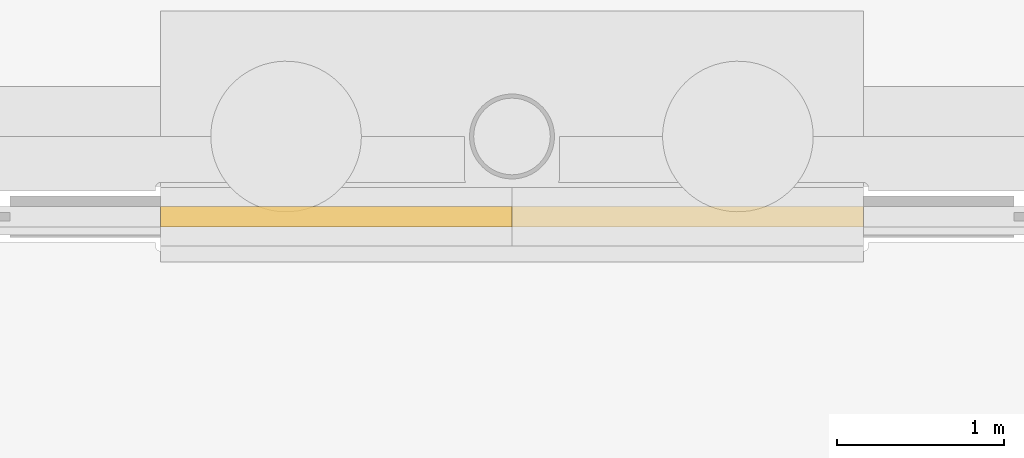
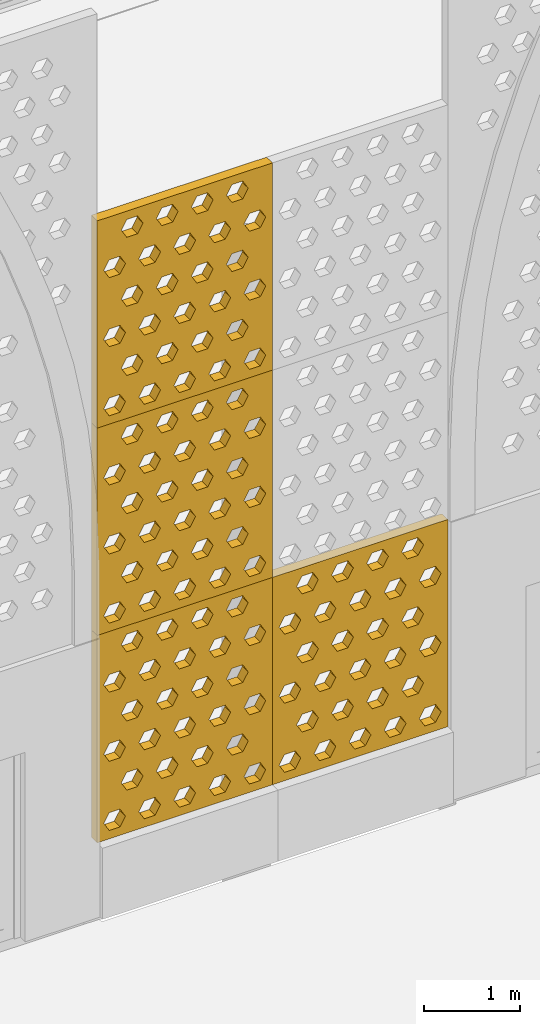
# One storey, part 202 of 250: 4 shading devices.
"""IFC4 building model written with IfcOpenShell, lengths in metres."""

from ifc_helpers import new_model, si_unit, direction, frame, origin, place, context, subcontext, project, spatial, polyline, outline, extrude, material, layer, layer_set, type_object, element, save


model = new_model("IFC4")

# Units and contexts
model_context = context("Model", 3, precision=1e-05, world=origin(), true_north=direction((0.0, 1.0)))
body_context = subcontext(model_context, "Body", "Model", "MODEL_VIEW")
ifc_project = project(units=[si_unit("LENGTHUNIT", "METRE"), si_unit("AREAUNIT", "SQUARE_METRE"), si_unit("VOLUMEUNIT", "CUBIC_METRE"), si_unit("PLANEANGLEUNIT", "RADIAN"), si_unit("MASSUNIT", "GRAM", prefix="KILO")], contexts=[model_context])

# Site, building, storey
site_placement = place(None, origin())
site = spatial("IfcSite", under=ifc_project, at=site_placement, CompositionType="ELEMENT")
building_placement = place(site_placement, origin())
building = spatial("IfcBuilding", under=site, at=building_placement, Name="Baradari Gate Terminus", CompositionType="ELEMENT")
storey_placement = place(building_placement, origin())
storey = spatial("IfcBuildingStorey", under=building, at=storey_placement, Name="L00", CompositionType="ELEMENT", Elevation=0.0)

# Shading devices
ifc_material = material(Name="Concrete C50/60 precast", Category="concrete")
ifc_layer = layer(ifc_material, 0.1201171875)
ifc_layer_set = layer_set([ifc_layer], Name="Concrete C50/60 precast")
shading_device_type = type_object("IfcShadingDeviceType", Name="Jali screen panel JS-2 120", PredefinedType="SHUTTER", material=ifc_layer_set)
shading_device_1_placement = place(storey_placement, frame((204.89990234375, 35.52001953125, 0.89990234375), z_axis=(0.0, 0.0, 1.0), x_axis=(1.0, 0.0, 0.0)))
element("IfcShadingDevice", 1, at=shading_device_1_placement, inside=storey, type_object=shading_device_type, Name="Jali screen panel JS-2 SC05c row 1 panel 1", PredefinedType="SHUTTER", context=body_context, shape_type="SweptSolid", body=[
    extrude(outline(polyline([(0.0, 0.0), (2.10009765625, 0.0), (2.10009765625, 2.625), (0.0, 2.625), (0.0, 0.0)]), holes=[polyline([(0.340087890625, 0.21875), (0.27490234375, 0.106201171875), (0.14501953125, 0.106201171875), (0.080078125, 0.21875), (0.14501953125, 0.33154296875), (0.27490234375, 0.33154296875), (0.340087890625, 0.21875)]), polyline([(0.760009765625, 0.21875), (0.695068359375, 0.106201171875), (0.56494140625, 0.106201171875), (0.5, 0.21875), (0.56494140625, 0.33154296875), (0.695068359375, 0.33154296875), (0.760009765625, 0.21875)]), polyline([(1.179931640625, 0.21875), (1.114990234375, 0.106201171875), (0.985107421875, 0.106201171875), (0.919921875, 0.21875), (0.985107421875, 0.33154296875), (1.114990234375, 0.33154296875), (1.179931640625, 0.21875)]), polyline([(1.60009765625, 0.21875), (1.534912109375, 0.106201171875), (1.405029296875, 0.106201171875), (1.340087890625, 0.21875), (1.405029296875, 0.33154296875), (1.534912109375, 0.33154296875), (1.60009765625, 0.21875)]), polyline([(2.02001953125, 0.21875), (1.955078125, 0.106201171875), (1.824951171875, 0.106201171875), (1.760009765625, 0.21875), (1.824951171875, 0.33154296875), (1.955078125, 0.33154296875), (2.02001953125, 0.21875)]), polyline([(0.550048828125, 0.65625), (0.485107421875, 0.543701171875), (0.35498046875, 0.543701171875), (0.2900390625, 0.65625), (0.35498046875, 0.76904296875), (0.485107421875, 0.76904296875), (0.550048828125, 0.65625)]), polyline([(0.969970703125, 0.65625), (0.905029296875, 0.543701171875), (0.77490234375, 0.543701171875), (0.7099609375, 0.65625), (0.77490234375, 0.76904296875), (0.905029296875, 0.76904296875), (0.969970703125, 0.65625)]), polyline([(1.389892578125, 0.65625), (1.324951171875, 0.543701171875), (1.195068359375, 0.543701171875), (1.1298828125, 0.65625), (1.195068359375, 0.76904296875), (1.324951171875, 0.76904296875), (1.389892578125, 0.65625)]), polyline([(1.81005859375, 0.65625), (1.7451171875, 0.543701171875), (1.614990234375, 0.543701171875), (1.550048828125, 0.65625), (1.614990234375, 0.76904296875), (1.7451171875, 0.76904296875), (1.81005859375, 0.65625)]), polyline([(0.340087890625, 1.09375), (0.27490234375, 0.981201171875), (0.14501953125, 0.981201171875), (0.080078125, 1.09375), (0.14501953125, 1.20654296875), (0.27490234375, 1.20654296875), (0.340087890625, 1.09375)]), polyline([(0.760009765625, 1.09375), (0.695068359375, 0.981201171875), (0.56494140625, 0.981201171875), (0.5, 1.09375), (0.56494140625, 1.20654296875), (0.695068359375, 1.20654296875), (0.760009765625, 1.09375)]), polyline([(1.179931640625, 1.09375), (1.114990234375, 0.981201171875), (0.985107421875, 0.981201171875), (0.919921875, 1.09375), (0.985107421875, 1.20654296875), (1.114990234375, 1.20654296875), (1.179931640625, 1.09375)]), polyline([(1.60009765625, 1.09375), (1.534912109375, 0.981201171875), (1.405029296875, 0.981201171875), (1.340087890625, 1.09375), (1.405029296875, 1.20654296875), (1.534912109375, 1.20654296875), (1.60009765625, 1.09375)]), polyline([(2.02001953125, 1.09375), (1.955078125, 0.981201171875), (1.824951171875, 0.981201171875), (1.760009765625, 1.09375), (1.824951171875, 1.20654296875), (1.955078125, 1.20654296875), (2.02001953125, 1.09375)]), polyline([(0.550048828125, 1.53125), (0.485107421875, 1.418701171875), (0.35498046875, 1.418701171875), (0.2900390625, 1.53125), (0.35498046875, 1.64404296875), (0.485107421875, 1.64404296875), (0.550048828125, 1.53125)]), polyline([(0.969970703125, 1.53125), (0.905029296875, 1.418701171875), (0.77490234375, 1.418701171875), (0.7099609375, 1.53125), (0.77490234375, 1.64404296875), (0.905029296875, 1.64404296875), (0.969970703125, 1.53125)]), polyline([(1.389892578125, 1.53125), (1.324951171875, 1.418701171875), (1.195068359375, 1.418701171875), (1.1298828125, 1.53125), (1.195068359375, 1.64404296875), (1.324951171875, 1.64404296875), (1.389892578125, 1.53125)]), polyline([(1.81005859375, 1.53125), (1.7451171875, 1.418701171875), (1.614990234375, 1.418701171875), (1.550048828125, 1.53125), (1.614990234375, 1.64404296875), (1.7451171875, 1.64404296875), (1.81005859375, 1.53125)]), polyline([(0.340087890625, 1.96875), (0.27490234375, 1.856201171875), (0.14501953125, 1.856201171875), (0.080078125, 1.96875), (0.14501953125, 2.08154296875), (0.27490234375, 2.08154296875), (0.340087890625, 1.96875)]), polyline([(0.760009765625, 1.96875), (0.695068359375, 1.856201171875), (0.56494140625, 1.856201171875), (0.5, 1.96875), (0.56494140625, 2.08154296875), (0.695068359375, 2.08154296875), (0.760009765625, 1.96875)]), polyline([(1.179931640625, 1.96875), (1.114990234375, 1.856201171875), (0.985107421875, 1.856201171875), (0.919921875, 1.96875), (0.985107421875, 2.08154296875), (1.114990234375, 2.08154296875), (1.179931640625, 1.96875)]), polyline([(1.60009765625, 1.96875), (1.534912109375, 1.856201171875), (1.405029296875, 1.856201171875), (1.340087890625, 1.96875), (1.405029296875, 2.08154296875), (1.534912109375, 2.08154296875), (1.60009765625, 1.96875)]), polyline([(2.02001953125, 1.96875), (1.955078125, 1.856201171875), (1.824951171875, 1.856201171875), (1.760009765625, 1.96875), (1.824951171875, 2.08154296875), (1.955078125, 2.08154296875), (2.02001953125, 1.96875)]), polyline([(0.550048828125, 2.40625), (0.485107421875, 2.293701171875), (0.35498046875, 2.293701171875), (0.2900390625, 2.40625), (0.35498046875, 2.51904296875), (0.485107421875, 2.51904296875), (0.550048828125, 2.40625)]), polyline([(0.969970703125, 2.40625), (0.905029296875, 2.293701171875), (0.77490234375, 2.293701171875), (0.7099609375, 2.40625), (0.77490234375, 2.51904296875), (0.905029296875, 2.51904296875), (0.969970703125, 2.40625)]), polyline([(1.389892578125, 2.40625), (1.324951171875, 2.293701171875), (1.195068359375, 2.293701171875), (1.1298828125, 2.40625), (1.195068359375, 2.51904296875), (1.324951171875, 2.51904296875), (1.389892578125, 2.40625)]), polyline([(1.81005859375, 2.40625), (1.7451171875, 2.293701171875), (1.614990234375, 2.293701171875), (1.550048828125, 2.40625), (1.614990234375, 2.51904296875), (1.7451171875, 2.51904296875), (1.81005859375, 2.40625)])]), frame((0.0, 0.06005859375, 0.0), z_axis=(0.0, -1.0, 0.0), x_axis=(1.0, 0.0, 0.0)), (0.0, 0.0, 1.0), 0.1201171875),
])
shading_device_2_placement = place(storey_placement, frame((204.89990234375, 35.52001953125, 3.52490234375), z_axis=(0.0, 0.0, 1.0), x_axis=(1.0, 0.0, 0.0)))
element("IfcShadingDevice", 2, at=shading_device_2_placement, inside=storey, type_object=shading_device_type, Name="Jali screen panel JS-2 SC05c row 2 panel 1", PredefinedType="SHUTTER", context=body_context, shape_type="SweptSolid", body=[
    extrude(outline(polyline([(0.0, 0.0), (2.10009765625, 0.0), (2.10009765625, 2.625), (0.0, 2.625), (0.0, 0.0)]), holes=[polyline([(0.340087890625, 0.21875), (0.27490234375, 0.106201171875), (0.14501953125, 0.106201171875), (0.080078125, 0.21875), (0.14501953125, 0.33154296875), (0.27490234375, 0.33154296875), (0.340087890625, 0.21875)]), polyline([(0.760009765625, 0.21875), (0.695068359375, 0.106201171875), (0.56494140625, 0.106201171875), (0.5, 0.21875), (0.56494140625, 0.33154296875), (0.695068359375, 0.33154296875), (0.760009765625, 0.21875)]), polyline([(1.179931640625, 0.21875), (1.114990234375, 0.106201171875), (0.985107421875, 0.106201171875), (0.919921875, 0.21875), (0.985107421875, 0.33154296875), (1.114990234375, 0.33154296875), (1.179931640625, 0.21875)]), polyline([(1.60009765625, 0.21875), (1.534912109375, 0.106201171875), (1.405029296875, 0.106201171875), (1.340087890625, 0.21875), (1.405029296875, 0.33154296875), (1.534912109375, 0.33154296875), (1.60009765625, 0.21875)]), polyline([(2.02001953125, 0.21875), (1.955078125, 0.106201171875), (1.824951171875, 0.106201171875), (1.760009765625, 0.21875), (1.824951171875, 0.33154296875), (1.955078125, 0.33154296875), (2.02001953125, 0.21875)]), polyline([(0.550048828125, 0.65625), (0.485107421875, 0.543701171875), (0.35498046875, 0.543701171875), (0.2900390625, 0.65625), (0.35498046875, 0.76904296875), (0.485107421875, 0.76904296875), (0.550048828125, 0.65625)]), polyline([(0.969970703125, 0.65625), (0.905029296875, 0.543701171875), (0.77490234375, 0.543701171875), (0.7099609375, 0.65625), (0.77490234375, 0.76904296875), (0.905029296875, 0.76904296875), (0.969970703125, 0.65625)]), polyline([(1.389892578125, 0.65625), (1.324951171875, 0.543701171875), (1.195068359375, 0.543701171875), (1.1298828125, 0.65625), (1.195068359375, 0.76904296875), (1.324951171875, 0.76904296875), (1.389892578125, 0.65625)]), polyline([(1.81005859375, 0.65625), (1.7451171875, 0.543701171875), (1.614990234375, 0.543701171875), (1.550048828125, 0.65625), (1.614990234375, 0.76904296875), (1.7451171875, 0.76904296875), (1.81005859375, 0.65625)]), polyline([(0.340087890625, 1.09375), (0.27490234375, 0.981201171875), (0.14501953125, 0.981201171875), (0.080078125, 1.09375), (0.14501953125, 1.20654296875), (0.27490234375, 1.20654296875), (0.340087890625, 1.09375)]), polyline([(0.760009765625, 1.09375), (0.695068359375, 0.981201171875), (0.56494140625, 0.981201171875), (0.5, 1.09375), (0.56494140625, 1.20654296875), (0.695068359375, 1.20654296875), (0.760009765625, 1.09375)]), polyline([(1.179931640625, 1.09375), (1.114990234375, 0.981201171875), (0.985107421875, 0.981201171875), (0.919921875, 1.09375), (0.985107421875, 1.20654296875), (1.114990234375, 1.20654296875), (1.179931640625, 1.09375)]), polyline([(1.60009765625, 1.09375), (1.534912109375, 0.981201171875), (1.405029296875, 0.981201171875), (1.340087890625, 1.09375), (1.405029296875, 1.20654296875), (1.534912109375, 1.20654296875), (1.60009765625, 1.09375)]), polyline([(2.02001953125, 1.09375), (1.955078125, 0.981201171875), (1.824951171875, 0.981201171875), (1.760009765625, 1.09375), (1.824951171875, 1.20654296875), (1.955078125, 1.20654296875), (2.02001953125, 1.09375)]), polyline([(0.550048828125, 1.53125), (0.485107421875, 1.418701171875), (0.35498046875, 1.418701171875), (0.2900390625, 1.53125), (0.35498046875, 1.64404296875), (0.485107421875, 1.64404296875), (0.550048828125, 1.53125)]), polyline([(0.969970703125, 1.53125), (0.905029296875, 1.418701171875), (0.77490234375, 1.418701171875), (0.7099609375, 1.53125), (0.77490234375, 1.64404296875), (0.905029296875, 1.64404296875), (0.969970703125, 1.53125)]), polyline([(1.389892578125, 1.53125), (1.324951171875, 1.418701171875), (1.195068359375, 1.418701171875), (1.1298828125, 1.53125), (1.195068359375, 1.64404296875), (1.324951171875, 1.64404296875), (1.389892578125, 1.53125)]), polyline([(1.81005859375, 1.53125), (1.7451171875, 1.418701171875), (1.614990234375, 1.418701171875), (1.550048828125, 1.53125), (1.614990234375, 1.64404296875), (1.7451171875, 1.64404296875), (1.81005859375, 1.53125)]), polyline([(0.340087890625, 1.96875), (0.27490234375, 1.856201171875), (0.14501953125, 1.856201171875), (0.080078125, 1.96875), (0.14501953125, 2.08154296875), (0.27490234375, 2.08154296875), (0.340087890625, 1.96875)]), polyline([(0.760009765625, 1.96875), (0.695068359375, 1.856201171875), (0.56494140625, 1.856201171875), (0.5, 1.96875), (0.56494140625, 2.08154296875), (0.695068359375, 2.08154296875), (0.760009765625, 1.96875)]), polyline([(1.179931640625, 1.96875), (1.114990234375, 1.856201171875), (0.985107421875, 1.856201171875), (0.919921875, 1.96875), (0.985107421875, 2.08154296875), (1.114990234375, 2.08154296875), (1.179931640625, 1.96875)]), polyline([(1.60009765625, 1.96875), (1.534912109375, 1.856201171875), (1.405029296875, 1.856201171875), (1.340087890625, 1.96875), (1.405029296875, 2.08154296875), (1.534912109375, 2.08154296875), (1.60009765625, 1.96875)]), polyline([(2.02001953125, 1.96875), (1.955078125, 1.856201171875), (1.824951171875, 1.856201171875), (1.760009765625, 1.96875), (1.824951171875, 2.08154296875), (1.955078125, 2.08154296875), (2.02001953125, 1.96875)]), polyline([(0.550048828125, 2.40625), (0.485107421875, 2.293701171875), (0.35498046875, 2.293701171875), (0.2900390625, 2.40625), (0.35498046875, 2.51904296875), (0.485107421875, 2.51904296875), (0.550048828125, 2.40625)]), polyline([(0.969970703125, 2.40625), (0.905029296875, 2.293701171875), (0.77490234375, 2.293701171875), (0.7099609375, 2.40625), (0.77490234375, 2.51904296875), (0.905029296875, 2.51904296875), (0.969970703125, 2.40625)]), polyline([(1.389892578125, 2.40625), (1.324951171875, 2.293701171875), (1.195068359375, 2.293701171875), (1.1298828125, 2.40625), (1.195068359375, 2.51904296875), (1.324951171875, 2.51904296875), (1.389892578125, 2.40625)]), polyline([(1.81005859375, 2.40625), (1.7451171875, 2.293701171875), (1.614990234375, 2.293701171875), (1.550048828125, 2.40625), (1.614990234375, 2.51904296875), (1.7451171875, 2.51904296875), (1.81005859375, 2.40625)])]), frame((0.0, 0.06005859375, 0.0), z_axis=(0.0, -1.0, 0.0), x_axis=(1.0, 0.0, 0.0)), (0.0, 0.0, 1.0), 0.1201171875),
])
shading_device_3_placement = place(storey_placement, frame((204.89990234375, 35.52001953125, 6.14990234375), z_axis=(0.0, 0.0, 1.0), x_axis=(1.0, 0.0, 0.0)))
element("IfcShadingDevice", 3, at=shading_device_3_placement, inside=storey, type_object=shading_device_type, Name="Jali screen panel JS-2 SC05c row 3 panel 1", PredefinedType="SHUTTER", context=body_context, shape_type="SweptSolid", body=[
    extrude(outline(polyline([(0.0, 0.0), (2.10009765625, 0.0), (2.10009765625, 2.625), (0.0, 2.625), (0.0, 0.0)]), holes=[polyline([(0.340087890625, 0.21875), (0.27490234375, 0.106201171875), (0.14501953125, 0.106201171875), (0.080078125, 0.21875), (0.14501953125, 0.33154296875), (0.27490234375, 0.33154296875), (0.340087890625, 0.21875)]), polyline([(0.760009765625, 0.21875), (0.695068359375, 0.106201171875), (0.56494140625, 0.106201171875), (0.5, 0.21875), (0.56494140625, 0.33154296875), (0.695068359375, 0.33154296875), (0.760009765625, 0.21875)]), polyline([(1.179931640625, 0.21875), (1.114990234375, 0.106201171875), (0.985107421875, 0.106201171875), (0.919921875, 0.21875), (0.985107421875, 0.33154296875), (1.114990234375, 0.33154296875), (1.179931640625, 0.21875)]), polyline([(1.60009765625, 0.21875), (1.534912109375, 0.106201171875), (1.405029296875, 0.106201171875), (1.340087890625, 0.21875), (1.405029296875, 0.33154296875), (1.534912109375, 0.33154296875), (1.60009765625, 0.21875)]), polyline([(2.02001953125, 0.21875), (1.955078125, 0.106201171875), (1.824951171875, 0.106201171875), (1.760009765625, 0.21875), (1.824951171875, 0.33154296875), (1.955078125, 0.33154296875), (2.02001953125, 0.21875)]), polyline([(0.550048828125, 0.65625), (0.485107421875, 0.543701171875), (0.35498046875, 0.543701171875), (0.2900390625, 0.65625), (0.35498046875, 0.76904296875), (0.485107421875, 0.76904296875), (0.550048828125, 0.65625)]), polyline([(0.969970703125, 0.65625), (0.905029296875, 0.543701171875), (0.77490234375, 0.543701171875), (0.7099609375, 0.65625), (0.77490234375, 0.76904296875), (0.905029296875, 0.76904296875), (0.969970703125, 0.65625)]), polyline([(1.389892578125, 0.65625), (1.324951171875, 0.543701171875), (1.195068359375, 0.543701171875), (1.1298828125, 0.65625), (1.195068359375, 0.76904296875), (1.324951171875, 0.76904296875), (1.389892578125, 0.65625)]), polyline([(1.81005859375, 0.65625), (1.7451171875, 0.543701171875), (1.614990234375, 0.543701171875), (1.550048828125, 0.65625), (1.614990234375, 0.76904296875), (1.7451171875, 0.76904296875), (1.81005859375, 0.65625)]), polyline([(0.340087890625, 1.09375), (0.27490234375, 0.981201171875), (0.14501953125, 0.981201171875), (0.080078125, 1.09375), (0.14501953125, 1.20654296875), (0.27490234375, 1.20654296875), (0.340087890625, 1.09375)]), polyline([(0.760009765625, 1.09375), (0.695068359375, 0.981201171875), (0.56494140625, 0.981201171875), (0.5, 1.09375), (0.56494140625, 1.20654296875), (0.695068359375, 1.20654296875), (0.760009765625, 1.09375)]), polyline([(1.179931640625, 1.09375), (1.114990234375, 0.981201171875), (0.985107421875, 0.981201171875), (0.919921875, 1.09375), (0.985107421875, 1.20654296875), (1.114990234375, 1.20654296875), (1.179931640625, 1.09375)]), polyline([(1.60009765625, 1.09375), (1.534912109375, 0.981201171875), (1.405029296875, 0.981201171875), (1.340087890625, 1.09375), (1.405029296875, 1.20654296875), (1.534912109375, 1.20654296875), (1.60009765625, 1.09375)]), polyline([(2.02001953125, 1.09375), (1.955078125, 0.981201171875), (1.824951171875, 0.981201171875), (1.760009765625, 1.09375), (1.824951171875, 1.20654296875), (1.955078125, 1.20654296875), (2.02001953125, 1.09375)]), polyline([(0.550048828125, 1.53125), (0.485107421875, 1.418701171875), (0.35498046875, 1.418701171875), (0.2900390625, 1.53125), (0.35498046875, 1.64404296875), (0.485107421875, 1.64404296875), (0.550048828125, 1.53125)]), polyline([(0.969970703125, 1.53125), (0.905029296875, 1.418701171875), (0.77490234375, 1.418701171875), (0.7099609375, 1.53125), (0.77490234375, 1.64404296875), (0.905029296875, 1.64404296875), (0.969970703125, 1.53125)]), polyline([(1.389892578125, 1.53125), (1.324951171875, 1.418701171875), (1.195068359375, 1.418701171875), (1.1298828125, 1.53125), (1.195068359375, 1.64404296875), (1.324951171875, 1.64404296875), (1.389892578125, 1.53125)]), polyline([(1.81005859375, 1.53125), (1.7451171875, 1.418701171875), (1.614990234375, 1.418701171875), (1.550048828125, 1.53125), (1.614990234375, 1.64404296875), (1.7451171875, 1.64404296875), (1.81005859375, 1.53125)]), polyline([(0.340087890625, 1.96875), (0.27490234375, 1.856201171875), (0.14501953125, 1.856201171875), (0.080078125, 1.96875), (0.14501953125, 2.08154296875), (0.27490234375, 2.08154296875), (0.340087890625, 1.96875)]), polyline([(0.760009765625, 1.96875), (0.695068359375, 1.856201171875), (0.56494140625, 1.856201171875), (0.5, 1.96875), (0.56494140625, 2.08154296875), (0.695068359375, 2.08154296875), (0.760009765625, 1.96875)]), polyline([(1.179931640625, 1.96875), (1.114990234375, 1.856201171875), (0.985107421875, 1.856201171875), (0.919921875, 1.96875), (0.985107421875, 2.08154296875), (1.114990234375, 2.08154296875), (1.179931640625, 1.96875)]), polyline([(1.60009765625, 1.96875), (1.534912109375, 1.856201171875), (1.405029296875, 1.856201171875), (1.340087890625, 1.96875), (1.405029296875, 2.08154296875), (1.534912109375, 2.08154296875), (1.60009765625, 1.96875)]), polyline([(2.02001953125, 1.96875), (1.955078125, 1.856201171875), (1.824951171875, 1.856201171875), (1.760009765625, 1.96875), (1.824951171875, 2.08154296875), (1.955078125, 2.08154296875), (2.02001953125, 1.96875)]), polyline([(0.550048828125, 2.40625), (0.485107421875, 2.293701171875), (0.35498046875, 2.293701171875), (0.2900390625, 2.40625), (0.35498046875, 2.51904296875), (0.485107421875, 2.51904296875), (0.550048828125, 2.40625)]), polyline([(0.969970703125, 2.40625), (0.905029296875, 2.293701171875), (0.77490234375, 2.293701171875), (0.7099609375, 2.40625), (0.77490234375, 2.51904296875), (0.905029296875, 2.51904296875), (0.969970703125, 2.40625)]), polyline([(1.389892578125, 2.40625), (1.324951171875, 2.293701171875), (1.195068359375, 2.293701171875), (1.1298828125, 2.40625), (1.195068359375, 2.51904296875), (1.324951171875, 2.51904296875), (1.389892578125, 2.40625)]), polyline([(1.81005859375, 2.40625), (1.7451171875, 2.293701171875), (1.614990234375, 2.293701171875), (1.550048828125, 2.40625), (1.614990234375, 2.51904296875), (1.7451171875, 2.51904296875), (1.81005859375, 2.40625)])]), frame((0.0, 0.06005859375, 0.0), z_axis=(0.0, -1.0, 0.0), x_axis=(1.0, 0.0, 0.0)), (0.0, 0.0, 1.0), 0.1201171875),
])
shading_device_4_placement = place(storey_placement, frame((207.0, 35.52001953125, 0.89990234375), z_axis=(0.0, 0.0, 1.0), x_axis=(1.0, 0.0, 0.0)))
element("IfcShadingDevice", 4, at=shading_device_4_placement, inside=storey, type_object=shading_device_type, Name="Jali screen panel JS-2 SC06a row 1 panel 1", PredefinedType="SHUTTER", context=body_context, shape_type="SweptSolid", body=[
    extrude(outline(polyline([(0.0, 0.0), (2.10009765625, 0.0), (2.10009765625, 2.625), (0.0, 2.625), (0.0, 0.0)]), holes=[polyline([(0.340087890625, 0.21875), (0.27490234375, 0.106201171875), (0.14501953125, 0.106201171875), (0.080078125, 0.21875), (0.14501953125, 0.33154296875), (0.27490234375, 0.33154296875), (0.340087890625, 0.21875)]), polyline([(0.760009765625, 0.21875), (0.695068359375, 0.106201171875), (0.56494140625, 0.106201171875), (0.5, 0.21875), (0.56494140625, 0.33154296875), (0.695068359375, 0.33154296875), (0.760009765625, 0.21875)]), polyline([(1.179931640625, 0.21875), (1.114990234375, 0.106201171875), (0.985107421875, 0.106201171875), (0.919921875, 0.21875), (0.985107421875, 0.33154296875), (1.114990234375, 0.33154296875), (1.179931640625, 0.21875)]), polyline([(1.60009765625, 0.21875), (1.534912109375, 0.106201171875), (1.405029296875, 0.106201171875), (1.340087890625, 0.21875), (1.405029296875, 0.33154296875), (1.534912109375, 0.33154296875), (1.60009765625, 0.21875)]), polyline([(2.02001953125, 0.21875), (1.955078125, 0.106201171875), (1.824951171875, 0.106201171875), (1.760009765625, 0.21875), (1.824951171875, 0.33154296875), (1.955078125, 0.33154296875), (2.02001953125, 0.21875)]), polyline([(0.550048828125, 0.65625), (0.485107421875, 0.543701171875), (0.35498046875, 0.543701171875), (0.2900390625, 0.65625), (0.35498046875, 0.76904296875), (0.485107421875, 0.76904296875), (0.550048828125, 0.65625)]), polyline([(0.969970703125, 0.65625), (0.905029296875, 0.543701171875), (0.77490234375, 0.543701171875), (0.7099609375, 0.65625), (0.77490234375, 0.76904296875), (0.905029296875, 0.76904296875), (0.969970703125, 0.65625)]), polyline([(1.389892578125, 0.65625), (1.324951171875, 0.543701171875), (1.195068359375, 0.543701171875), (1.1298828125, 0.65625), (1.195068359375, 0.76904296875), (1.324951171875, 0.76904296875), (1.389892578125, 0.65625)]), polyline([(1.81005859375, 0.65625), (1.7451171875, 0.543701171875), (1.614990234375, 0.543701171875), (1.550048828125, 0.65625), (1.614990234375, 0.76904296875), (1.7451171875, 0.76904296875), (1.81005859375, 0.65625)]), polyline([(0.340087890625, 1.09375), (0.27490234375, 0.981201171875), (0.14501953125, 0.981201171875), (0.080078125, 1.09375), (0.14501953125, 1.20654296875), (0.27490234375, 1.20654296875), (0.340087890625, 1.09375)]), polyline([(0.760009765625, 1.09375), (0.695068359375, 0.981201171875), (0.56494140625, 0.981201171875), (0.5, 1.09375), (0.56494140625, 1.20654296875), (0.695068359375, 1.20654296875), (0.760009765625, 1.09375)]), polyline([(1.179931640625, 1.09375), (1.114990234375, 0.981201171875), (0.985107421875, 0.981201171875), (0.919921875, 1.09375), (0.985107421875, 1.20654296875), (1.114990234375, 1.20654296875), (1.179931640625, 1.09375)]), polyline([(1.60009765625, 1.09375), (1.534912109375, 0.981201171875), (1.405029296875, 0.981201171875), (1.340087890625, 1.09375), (1.405029296875, 1.20654296875), (1.534912109375, 1.20654296875), (1.60009765625, 1.09375)]), polyline([(2.02001953125, 1.09375), (1.955078125, 0.981201171875), (1.824951171875, 0.981201171875), (1.760009765625, 1.09375), (1.824951171875, 1.20654296875), (1.955078125, 1.20654296875), (2.02001953125, 1.09375)]), polyline([(0.550048828125, 1.53125), (0.485107421875, 1.418701171875), (0.35498046875, 1.418701171875), (0.2900390625, 1.53125), (0.35498046875, 1.64404296875), (0.485107421875, 1.64404296875), (0.550048828125, 1.53125)]), polyline([(0.969970703125, 1.53125), (0.905029296875, 1.418701171875), (0.77490234375, 1.418701171875), (0.7099609375, 1.53125), (0.77490234375, 1.64404296875), (0.905029296875, 1.64404296875), (0.969970703125, 1.53125)]), polyline([(1.389892578125, 1.53125), (1.324951171875, 1.418701171875), (1.195068359375, 1.418701171875), (1.1298828125, 1.53125), (1.195068359375, 1.64404296875), (1.324951171875, 1.64404296875), (1.389892578125, 1.53125)]), polyline([(1.81005859375, 1.53125), (1.7451171875, 1.418701171875), (1.614990234375, 1.418701171875), (1.550048828125, 1.53125), (1.614990234375, 1.64404296875), (1.7451171875, 1.64404296875), (1.81005859375, 1.53125)]), polyline([(0.340087890625, 1.96875), (0.27490234375, 1.856201171875), (0.14501953125, 1.856201171875), (0.080078125, 1.96875), (0.14501953125, 2.08154296875), (0.27490234375, 2.08154296875), (0.340087890625, 1.96875)]), polyline([(0.760009765625, 1.96875), (0.695068359375, 1.856201171875), (0.56494140625, 1.856201171875), (0.5, 1.96875), (0.56494140625, 2.08154296875), (0.695068359375, 2.08154296875), (0.760009765625, 1.96875)]), polyline([(1.179931640625, 1.96875), (1.114990234375, 1.856201171875), (0.985107421875, 1.856201171875), (0.919921875, 1.96875), (0.985107421875, 2.08154296875), (1.114990234375, 2.08154296875), (1.179931640625, 1.96875)]), polyline([(1.60009765625, 1.96875), (1.534912109375, 1.856201171875), (1.405029296875, 1.856201171875), (1.340087890625, 1.96875), (1.405029296875, 2.08154296875), (1.534912109375, 2.08154296875), (1.60009765625, 1.96875)]), polyline([(2.02001953125, 1.96875), (1.955078125, 1.856201171875), (1.824951171875, 1.856201171875), (1.760009765625, 1.96875), (1.824951171875, 2.08154296875), (1.955078125, 2.08154296875), (2.02001953125, 1.96875)]), polyline([(0.550048828125, 2.40625), (0.485107421875, 2.293701171875), (0.35498046875, 2.293701171875), (0.2900390625, 2.40625), (0.35498046875, 2.51904296875), (0.485107421875, 2.51904296875), (0.550048828125, 2.40625)]), polyline([(0.969970703125, 2.40625), (0.905029296875, 2.293701171875), (0.77490234375, 2.293701171875), (0.7099609375, 2.40625), (0.77490234375, 2.51904296875), (0.905029296875, 2.51904296875), (0.969970703125, 2.40625)]), polyline([(1.389892578125, 2.40625), (1.324951171875, 2.293701171875), (1.195068359375, 2.293701171875), (1.1298828125, 2.40625), (1.195068359375, 2.51904296875), (1.324951171875, 2.51904296875), (1.389892578125, 2.40625)]), polyline([(1.81005859375, 2.40625), (1.7451171875, 2.293701171875), (1.614990234375, 2.293701171875), (1.550048828125, 2.40625), (1.614990234375, 2.51904296875), (1.7451171875, 2.51904296875), (1.81005859375, 2.40625)])]), frame((0.0, 0.06005859375, 0.0), z_axis=(0.0, -1.0, 0.0), x_axis=(1.0, 0.0, 0.0)), (0.0, 0.0, 1.0), 0.1201171875),
])

save(model, "model.ifc")
